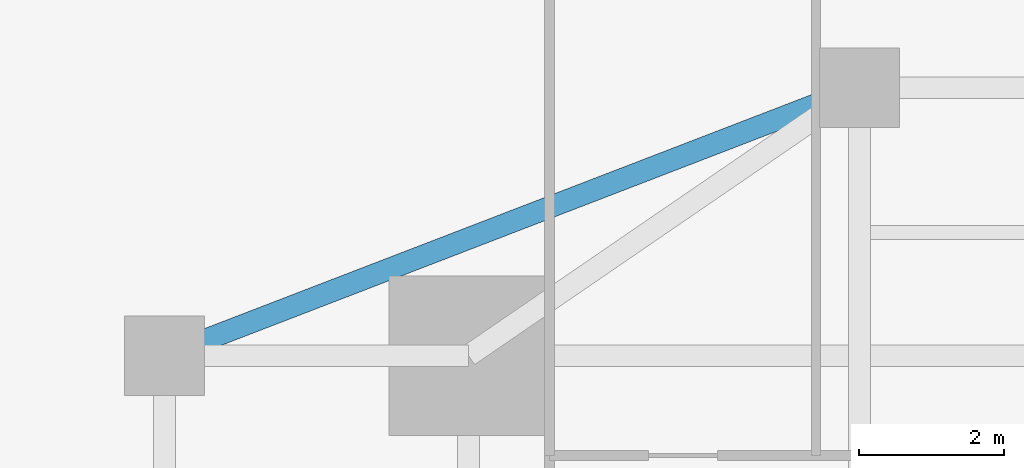
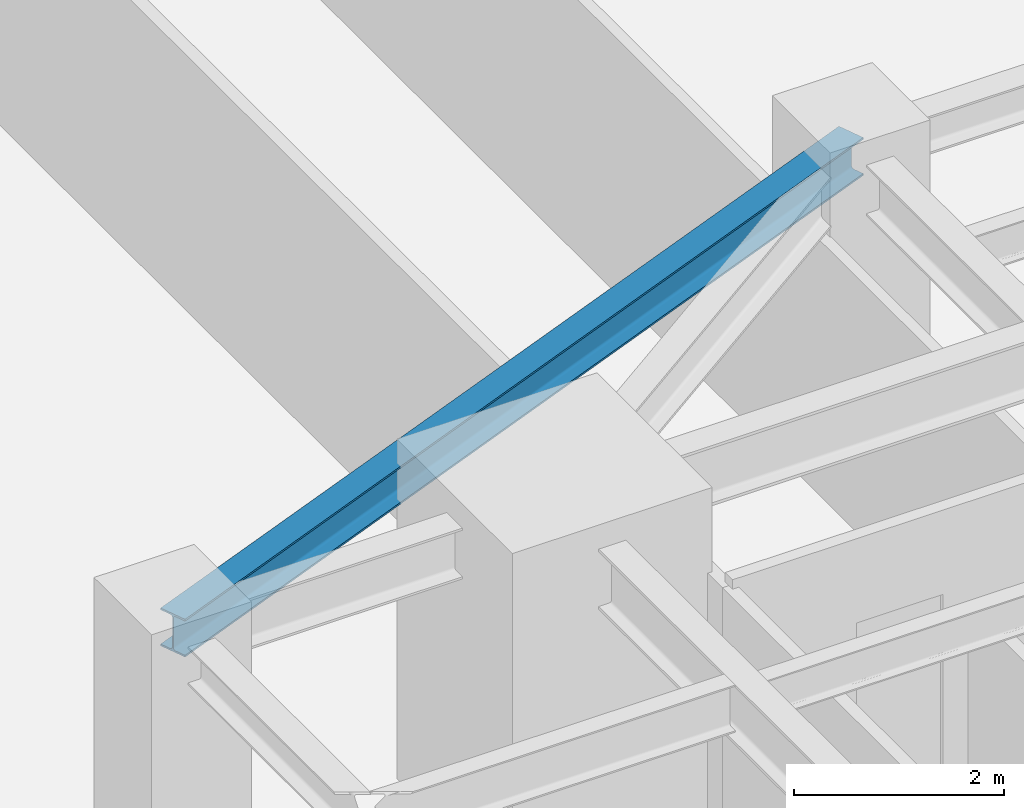
# One storey, part 18 of 30: 1 beam.
"""IFC4 building model written with IfcOpenShell, lengths in metres."""

import ifcopenshell
import ifcopenshell.guid

model = None  # the IFC model being written
_history = None  # IfcOwnerHistory: only IFC2X3 demands one
_inside = {}  # id of a spatial element -> (the spatial element, [elements in it])
_under = {}  # id of a project, library or spatial element -> (it, [spatial elements below it])
_declared = {}  # id of a project -> (the project, [libraries it declares])
_typed = {}  # id of a type object -> (the type object, [elements of that type])
_made_of = {}  # id of a material, layer set ... -> (it, [elements and type objects made of it])


def new_model(schema):
    """Start an empty IFC model of exactly this schema.

    Asked for "IFC4X3", IfcOpenShell would pick the latest addendum, in which some entities
    have other attributes; the version numbers below select the first issue.
    IFC2X3 requires an IfcOwnerHistory on every rooted entity: one is made here for all.
    """
    global model, _history
    if schema == "IFC4X3":
        model = ifcopenshell.file(schema_version=(4, 3, 0, 0))
    else:
        model = ifcopenshell.file(schema=schema)
    _inside.clear()
    _under.clear()
    _declared.clear()
    _typed.clear()
    _made_of.clear()
    _history = None
    if model.schema == "IFC2X3":
        org = make("IfcOrganization", Name="unknown")
        user = make(
            "IfcPersonAndOrganization",
            ThePerson=make("IfcPerson", FamilyName="unknown"),
            TheOrganization=org,
        )
        app = make(
            "IfcApplication",
            ApplicationDeveloper=org,
            Version="unknown",
            ApplicationFullName="unknown",
            ApplicationIdentifier="unknown",
        )
        _history = make(
            "IfcOwnerHistory",
            OwningUser=user,
            OwningApplication=app,
            ChangeAction="ADDED",
            CreationDate=0,
        )
    return model


def make(cls, **values):
    """One entity of the class cls with the attributes given. An attribute that is None is left unset."""
    return model.create_entity(
        cls, **{name: value for name, value in values.items() if value is not None}
    )


def rooted(cls, **values):
    """An entity with a GlobalId (a new one), such as an element, a storey or a relation."""
    return make(cls, GlobalId=ifcopenshell.guid.new(), OwnerHistory=_history, **values)


def si_unit(unit_type, name, prefix=None):
    """IfcSIUnit, for example si_unit("LENGTHUNIT", "METRE", prefix="MILLI")."""
    return make("IfcSIUnit", UnitType=unit_type, Prefix=prefix, Name=name)


def assignment(units):
    """IfcUnitAssignment: the units of a project."""
    return None if units is None else make("IfcUnitAssignment", Units=units)


def point(xyz):
    """IfcCartesianPoint."""
    return None if xyz is None else make("IfcCartesianPoint", Coordinates=xyz)


def direction(xyz):
    """IfcDirection."""
    return None if xyz is None else make("IfcDirection", DirectionRatios=xyz)


def frame(location, z_axis=None, x_axis=None):
    """IfcAxis2Placement3D, a coordinate frame: its origin and axes. An axis left out is left unset."""
    return make(
        "IfcAxis2Placement3D",
        Location=point(location),
        Axis=direction(z_axis),
        RefDirection=direction(x_axis),
    )


def frame_2d(location, x_axis=None):
    """IfcAxis2Placement2D, a coordinate frame in the plane: its origin and x axis."""
    return make(
        "IfcAxis2Placement2D", Location=point(location), RefDirection=direction(x_axis)
    )


def origin():
    """The frame at (0, 0, 0) with its axes left unset."""
    return frame((0.0, 0.0, 0.0))


def origin_2d():
    """The frame at (0, 0) in the plane with its x axis left unset."""
    return frame_2d((0.0, 0.0))


def place(relative_to, where):
    """IfcLocalPlacement: puts the frame where relative to a parent placement (None: the world)."""
    return make(
        "IfcLocalPlacement", PlacementRelTo=relative_to, RelativePlacement=where
    )


def context(
    kind, dimensions, precision=None, world=None, true_north=None, identifier=None
):
    """IfcGeometricRepresentationContext, for example the 3D "Model" context."""
    return make(
        "IfcGeometricRepresentationContext",
        ContextIdentifier=identifier,
        ContextType=kind,
        CoordinateSpaceDimension=dimensions,
        Precision=precision,
        WorldCoordinateSystem=world,
        TrueNorth=true_north,
    )


def subcontext(parent, identifier, kind, view, scale=None):
    """IfcGeometricRepresentationSubContext, for example "Body" below "Model"."""
    return make(
        "IfcGeometricRepresentationSubContext",
        ContextIdentifier=identifier,
        ContextType=kind,
        ParentContext=parent,
        TargetScale=scale,
        TargetView=view,
    )


def project(units=None, contexts=None):
    """IfcProject with its units and contexts."""
    return rooted(
        "IfcProject",
        Name="project",
        RepresentationContexts=contexts,
        UnitsInContext=assignment(units),
    )


def spatial(cls, under=None, at=None, **own):
    """A site, building, storey or space (cls), placed at a placement, below another one or the project."""
    s = rooted(cls, ObjectPlacement=at, **own)
    if under is not None:
        _under.setdefault(under.id(), (under, []))[1].append(s)
    return s


def profile(cls, at=None, kind="AREA", **sizes):
    """A parametric profile (cls). Its sizes go by their IFC names, for example OverallWidth=200.0."""
    return make(cls, ProfileType=kind, Position=at, **sizes)


def i_section(**sizes):
    """IfcIShapeProfileDef."""
    return profile("IfcIShapeProfileDef", **sizes)


def extrude(swept, where, along, depth):
    """IfcExtrudedAreaSolid: the profile swept, set in the frame where, extruded along a direction by depth."""
    return make(
        "IfcExtrudedAreaSolid",
        SweptArea=swept,
        Position=where,
        ExtrudedDirection=direction(along),
        Depth=depth,
    )


def shape(context_of_items, identifier, shape_type, items):
    """IfcShapeRepresentation: the items that make up one representation, for example the "Body"."""
    return make(
        "IfcShapeRepresentation",
        ContextOfItems=context_of_items,
        RepresentationIdentifier=identifier,
        RepresentationType=shape_type,
        Items=items,
    )


def source(mapping_origin, context_of_items, identifier, shape_type, items):
    """IfcRepresentationMap: a shape defined once, which mapped items show again and again."""
    return make(
        "IfcRepresentationMap",
        MappingOrigin=mapping_origin,
        MappedRepresentation=shape(context_of_items, identifier, shape_type, items),
    )


def transform(
    local_origin,
    x_axis=None,
    y_axis=None,
    z_axis=None,
    scale=None,
    scale2=None,
    scale3=None,
    uniform=True,
):
    """IfcCartesianTransformationOperator3D, or its non-uniform kind. x_axis, y_axis, z_axis: its Axis1, 2, 3."""
    if uniform:
        return make(
            "IfcCartesianTransformationOperator3D",
            Axis1=direction(x_axis),
            Axis2=direction(y_axis),
            LocalOrigin=point(local_origin),
            Scale=scale,
            Axis3=direction(z_axis),
        )
    return make(
        "IfcCartesianTransformationOperator3DnonUniform",
        Axis1=direction(x_axis),
        Axis2=direction(y_axis),
        LocalOrigin=point(local_origin),
        Scale=scale,
        Axis3=direction(z_axis),
        Scale2=scale2,
        Scale3=scale3,
    )


def mapped(mapping_source, mapping_target):
    """IfcMappedItem: shows the shape of a source again, moved by a transform."""
    return make(
        "IfcMappedItem", MappingSource=mapping_source, MappingTarget=mapping_target
    )


def material(Name=None, Category=None):
    """IfcMaterial."""
    return make("IfcMaterial", Name=Name, Category=Category)


def material_profile(
    of_material, cross_section, Name=None, Category=None, Priority=None
):
    """IfcMaterialProfile: a cross section and its material."""
    return make(
        "IfcMaterialProfile",
        Name=Name,
        Material=of_material,
        Profile=cross_section,
        Priority=Priority,
        Category=Category,
    )


def profile_set(profiles, Name=None, composite=None):
    """IfcMaterialProfileSet."""
    return make(
        "IfcMaterialProfileSet",
        Name=Name,
        MaterialProfiles=profiles,
        CompositeProfile=composite,
    )


def made_of(thing, what):
    """Note that an element or type object is made of a material, layer set ...; save() writes the relation."""
    if what is not None:
        _made_of.setdefault(what.id(), (what, []))[1].append(thing)
    return thing


def type_object(cls, material=None, **own):
    """A type object (cls), such as IfcWallType, which elements share."""
    return made_of(rooted(cls, **own), material)


def type_shapes(of_type, sources):
    """Give a type object the sources (RepresentationMaps) that its elements show as mapped items."""
    of_type.RepresentationMaps = sources


def element(
    cls,
    number,
    at=None,
    inside=None,
    cuts=None,
    type_object=None,
    material=None,
    context=None,
    identifier="Body",
    shape_type=None,
    held_by="IfcProductDefinitionShape",
    body=None,
    shapes=None,
    **own,
):
    """One element of the class cls, such as IfcWall. Its Tag is "e" and its number.

    at: its placement. inside: the storey or other place that contains it. cuts: it is an
    opening in that element (IfcRelVoidsElement). A single representation is given by context,
    identifier, shape_type and body (its items); several are given by shapes. held_by: the class
    of the entity that holds the representations. save() writes the other relations.
    """
    e = rooted(cls, Tag="e%d" % number, ObjectPlacement=at, **own)
    if body is not None:
        shapes = [shape(context, identifier, shape_type, body)]
    if shapes is not None:
        e.Representation = make(held_by, Representations=shapes)
    if inside is not None:
        _inside.setdefault(inside.id(), (inside, []))[1].append(e)
    if cuts is not None:
        rooted(
            "IfcRelVoidsElement", RelatingBuildingElement=cuts, RelatedOpeningElement=e
        )
    if type_object is not None:
        _typed.setdefault(type_object.id(), (type_object, []))[1].append(e)
    return made_of(e, material)


def aggregate(whole, parts):
    """IfcRelAggregates: a whole, such as a stair, and the parts it consists of."""
    return rooted("IfcRelAggregates", RelatingObject=whole, RelatedObjects=parts)


def save(model, path):
    """Write the relations noted so far, then the file.

    IfcRelAggregates (storeys below a building ...), IfcRelContainedInSpatialStructure (elements
    in a storey), IfcRelDefinesByType, IfcRelAssociatesMaterial and IfcRelDeclares: one each for
    every whole, place, type object, material and project.
    """
    for whole, parts in _under.values():
        aggregate(whole, parts)
    for where, things in _inside.values():
        rooted(
            "IfcRelContainedInSpatialStructure",
            RelatedElements=things,
            RelatingStructure=where,
        )
    for kind, things in _typed.values():
        rooted("IfcRelDefinesByType", RelatedObjects=things, RelatingType=kind)
    for what, things in _made_of.values():
        rooted("IfcRelAssociatesMaterial", RelatedObjects=things, RelatingMaterial=what)
    for by, libraries in _declared.values():
        rooted("IfcRelDeclares", RelatingContext=by, RelatedDefinitions=libraries)
    model.write(path)


model = new_model("IFC4")

# Units and contexts
model_context = context("Model", 3, precision=1e-05, world=origin(), true_north=direction((0.0, 1.0)))
body_context = subcontext(model_context, "Body", "Model", "MODEL_VIEW")
ifc_project = project(units=[si_unit("LENGTHUNIT", "METRE"), si_unit("AREAUNIT", "SQUARE_METRE"), si_unit("VOLUMEUNIT", "CUBIC_METRE"), si_unit("PLANEANGLEUNIT", "RADIAN"), si_unit("MASSUNIT", "GRAM", prefix="KILO")], contexts=[model_context])

# Site, building, storey
site_placement = place(None, origin())
site = spatial("IfcSite", under=ifc_project, at=site_placement, CompositionType="ELEMENT")
building_placement = place(site_placement, origin())
building = spatial("IfcBuilding", under=site, at=building_placement, Name="Krantzveldt Concourse Tower", CompositionType="ELEMENT")
storey_placement = place(building_placement, frame((0.0, 0.0, 44.75)))
storey = spatial("IfcBuildingStorey", under=building, at=storey_placement, Name="L10", CompositionType="ELEMENT", Elevation=44.75)

# Beam
ifc_material = material(Name="Steel S355JR", Category="steel")
ifc_material_profile = material_profile(ifc_material, i_section(OverallWidth=0.300048828125, OverallDepth=0.43994140625, WebThickness=0.011474609375, FlangeThickness=0.02099609375, FilletRadius=0.027099609375, at=origin_2d()), Name="Steel S355JR", Category="steel")
ifc_profile_set = profile_set([ifc_material_profile], Name="Steel S355JR - HEA 450")
beam_type = type_object("IfcBeamType", Name="BM-SP-HEA450", PredefinedType="SPANDREL", material=ifc_profile_set)
shared_shape = source(origin(), body_context, "Body", "SweptSolid", [
    extrude(i_section(OverallWidth=0.300048828125, OverallDepth=0.43994140625, WebThickness=0.011474609375, FlangeThickness=0.02099609375, FilletRadius=0.027099609375, at=origin_2d()), origin(), (0.0, 0.0, 1.0), 10.288330078125),
])
type_shapes(beam_type, [shared_shape])
beam_placement = place(storey_placement, frame((21.0, 37.5, 3.449951171875), z_axis=(0.933097690408, 0.359622997257, 0.0), x_axis=(-0.359622997257, 0.933097690408, 0.0)))
element("IfcBeam", 1, at=beam_placement, inside=storey, type_object=beam_type, Name="L10 Tower Girder SP-R03", PredefinedType="SPANDREL", context=body_context, shape_type="MappedRepresentation", body=[
    mapped(shared_shape, transform((0.0, 0.0, 0.0), x_axis=(1.0, 0.0, 0.0), y_axis=(0.0, 1.0, 0.0), z_axis=(0.0, 0.0, 1.0), scale=1.0)),
])

save(model, "model.ifc")
